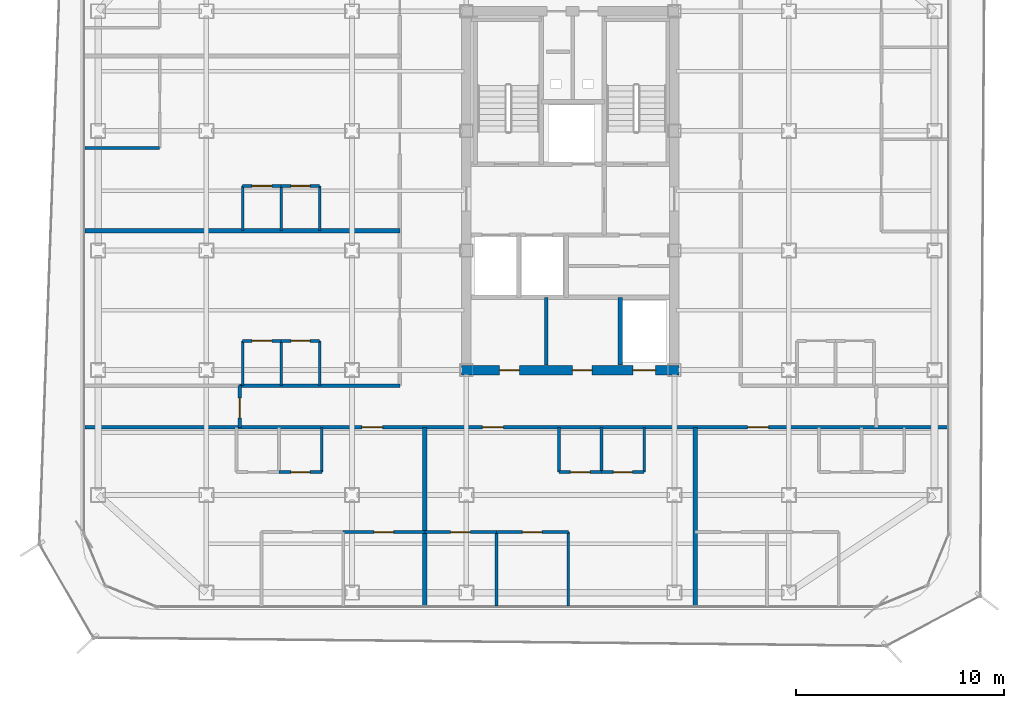
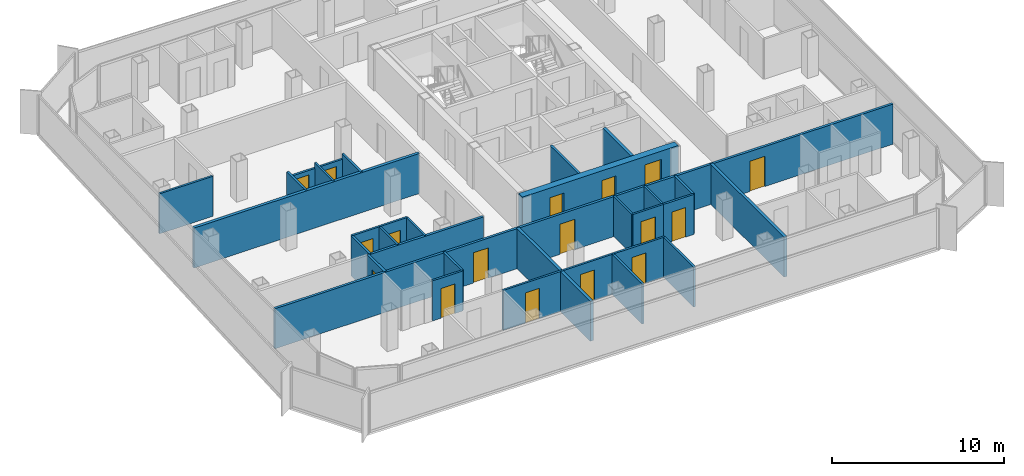
# One storey, part 10 of 16: 32 walls, 17 doors, 17 openings.
"""IFC4 building model written with IfcOpenShell, lengths in metres."""

from ifc_helpers import new_model, si_unit, direction, frame, frame_2d, origin, place, context, subcontext, project, spatial, rectangle, extrude, material, layer, layer_set, type_object, element, fill, save


model = new_model("IFC4")

# Units and contexts
model_context = context("Model", 3, precision=1e-05, world=origin(), true_north=direction((0.0, 1.0)))
body_context = subcontext(model_context, "Body", "Model", "MODEL_VIEW")
ifc_project = project(units=[si_unit("LENGTHUNIT", "METRE"), si_unit("AREAUNIT", "SQUARE_METRE"), si_unit("VOLUMEUNIT", "CUBIC_METRE"), si_unit("PLANEANGLEUNIT", "RADIAN"), si_unit("MASSUNIT", "GRAM", prefix="KILO")], contexts=[model_context])

# Site, building, storey
site_placement = place(None, origin())
site = spatial("IfcSite", under=ifc_project, at=site_placement, CompositionType="ELEMENT")
building_placement = place(site_placement, origin())
building = spatial("IfcBuilding", under=site, at=building_placement, Name="Kolveth Station Tower", CompositionType="ELEMENT")
storey_placement = place(building_placement, frame((0.0, 0.0, 212.39990234375)))
storey = spatial("IfcBuildingStorey", under=building, at=storey_placement, Name="L60", CompositionType="ELEMENT", Elevation=212.39990234375)

# Wall, openings, doors
ifc_material_1 = material(Name="Concrete C50/60", Category="concrete")
ifc_layer_1 = layer(ifc_material_1, 0.449951171875)
ifc_layer_set_1 = layer_set([ifc_layer_1], Name="Concrete C50/60")
wall_type_1 = type_object("IfcWallType", Name="Wall_CW-450", PredefinedType="SHEAR", material=ifc_layer_set_1)
wall_1_placement = place(storey_placement, frame((18.27490234375, 11.5, 0.0), z_axis=(0.0, 0.0, 1.0), x_axis=(1.0, 0.0, 0.0)))
wall_1 = element("IfcWall", 1, at=wall_1_placement, inside=storey, type_object=wall_type_1, Name="L60 Core RC Shear Wall S", PredefinedType="SHEAR", context=body_context, shape_type="SweptSolid", body=[
    extrude(rectangle(XDim=10.4501953125, YDim=0.449951171875, at=frame_2d((5.22509765625, 0.0))), origin(), (0.0, 0.0, 1.0), 2.840087890625),
])
opening_1_placement = place(wall_1_placement, frame((1.824951171875, 0.0, 0.0)))
opening_1 = element("IfcOpeningElement", 2, at=opening_1_placement, cuts=wall_1, Name="Opening ID1", PredefinedType="OPENING", context=body_context, shape_type="SweptSolid", body=[
    extrude(rectangle(XDim=0.949951171875, YDim=2.14990234375, at=frame_2d((0.47509765625, 1.074951171875))), frame((0.0, 0.23486328125, 0.0), z_axis=(0.0, -1.0, 0.0), x_axis=(1.0, 0.0, 0.0)), (0.0, 0.0, 1.0), 0.469970703125),
])
opening_2_placement = place(wall_1_placement, frame((5.324951171875, 0.0, 0.0)))
opening_2 = element("IfcOpeningElement", 3, at=opening_2_placement, cuts=wall_1, Name="Opening ID1", PredefinedType="OPENING", context=body_context, shape_type="SweptSolid", body=[
    extrude(rectangle(XDim=0.949951171875, YDim=2.14990234375, at=frame_2d((0.47509765625, 1.074951171875))), frame((0.0, 0.23486328125, 0.0), z_axis=(0.0, -1.0, 0.0), x_axis=(1.0, 0.0, 0.0)), (0.0, 0.0, 1.0), 0.469970703125),
])
opening_3_placement = place(wall_1_placement, frame((8.22509765625, 0.0, 0.0)))
opening_3 = element("IfcOpeningElement", 4, at=opening_3_placement, cuts=wall_1, Name="Opening LD1", PredefinedType="OPENING", context=body_context, shape_type="SweptSolid", body=[
    extrude(rectangle(XDim=1.10009765625, YDim=2.25, at=frame_2d((0.550048828125, 1.125))), frame((0.0, 0.23486328125, 0.0), z_axis=(0.0, -1.0, 0.0), x_axis=(1.0, 0.0, 0.0)), (0.0, 0.0, 1.0), 0.469970703125),
])
ifc_material_2 = material(Name="Acoustic hardwood leaf and aluminium frame", Category="wood")
door_type_1 = type_object("IfcDoorType", Name="Door_ID1", OperationType="NOTDEFINED", PredefinedType="DOOR", material=ifc_material_2)
door_1_placement = place(opening_1_placement, frame((0.949951171875, 0.0, 0.0), z_axis=(0.0, 0.0, 1.0), x_axis=(-1.0, 0.0, 0.0)))
door_1 = element("IfcDoor", 5, at=door_1_placement, inside=storey, type_object=door_type_1, Name="L60 Laundry Room Door", OperationType="SINGLE_SWING_LEFT", OverallHeight=2.14990234375, OverallWidth=0.949951171875, PredefinedType="DOOR", context=body_context, shape_type="SweptSolid", body=[
    extrude(rectangle(XDim=0.949951171875, YDim=2.14990234375, at=frame_2d((0.47509765625, 1.074951171875))), frame((0.0, 0.02490234375, 0.0), z_axis=(0.0, -1.0, 0.0), x_axis=(1.0, 0.0, 0.0)), (0.0, 0.0, 1.0), 0.050048828125),
])
fill(opening_1, door_1)
door_2_placement = place(opening_2_placement, frame((0.949951171875, 0.0, 0.0), z_axis=(0.0, 0.0, 1.0), x_axis=(-1.0, 0.0, 0.0)))
door_2 = element("IfcDoor", 6, at=door_2_placement, inside=storey, type_object=door_type_1, Name="L60 Parcel Room Door", OperationType="SINGLE_SWING_RIGHT", OverallHeight=2.14990234375, OverallWidth=0.949951171875, PredefinedType="DOOR", context=body_context, shape_type="SweptSolid", body=[
    extrude(rectangle(XDim=0.949951171875, YDim=2.14990234375, at=frame_2d((0.47509765625, 1.074951171875))), frame((0.0, 0.02490234375, 0.0), z_axis=(0.0, -1.0, 0.0), x_axis=(1.0, 0.0, 0.0)), (0.0, 0.0, 1.0), 0.050048828125),
])
fill(opening_2, door_2)
ifc_material_3 = material(Name="Brushed stainless steel sliding landing doors", Category="steel")
door_type_2 = type_object("IfcDoorType", Name="Door_LD1", OperationType="NOTDEFINED", PredefinedType="DOOR", material=ifc_material_3)
door_3_placement = place(opening_3_placement, frame((1.10009765625, 0.0, 0.0), z_axis=(0.0, 0.0, 1.0), x_axis=(-1.0, 0.0, 0.0)))
door_3 = element("IfcDoor", 7, at=door_3_placement, inside=storey, type_object=door_type_2, Name="L60 Lift PH1 Landing Door", OperationType="DOUBLE_DOOR_SLIDING", OverallHeight=2.25, OverallWidth=1.10009765625, PredefinedType="DOOR", context=body_context, shape_type="SweptSolid", body=[
    extrude(rectangle(XDim=1.10009765625, YDim=2.25, at=frame_2d((0.550048828125, 1.125))), frame((0.0, 0.02490234375, 0.0), z_axis=(0.0, -1.0, 0.0), x_axis=(1.0, 0.0, 0.0)), (0.0, 0.0, 1.0), 0.050048828125),
])
fill(opening_3, door_3)

# Wall, opening, door
ifc_material_4 = material(Name="Moisture-resistant gypsum partition")
ifc_layer_2 = layer(ifc_material_4, 0.135009765625)
ifc_layer_set_2 = layer_set([ifc_layer_2], Name="Moisture-resistant gypsum partition")
wall_type_2 = type_object("IfcWallType", Name="Wall_IW-135", PredefinedType="PARTITIONING", material=ifc_layer_set_2)
wall_2_placement = place(storey_placement, frame((9.5, 6.60009765625, 0.0), z_axis=(0.0, 0.0, 1.0), x_axis=(1.0, 0.0, 0.0)))
wall_2 = element("IfcWall", 8, at=wall_2_placement, inside=storey, type_object=wall_type_2, Name="L60 Partition Wall WL-L60-A1-IBHB", PredefinedType="PARTITIONING", context=body_context, shape_type="SweptSolid", body=[
    extrude(rectangle(XDim=2.050048828125, YDim=0.135009765625, at=frame_2d((1.02490234375, 0.0))), origin(), (0.0, 0.0, 1.0), 2.840087890625),
])
opening_4_placement = place(wall_2_placement, frame((0.56494140625, 0.0, 0.0)))
opening_4 = element("IfcOpeningElement", 9, at=opening_4_placement, cuts=wall_2, Name="Opening ID2", PredefinedType="OPENING", context=body_context, shape_type="SweptSolid", body=[
    extrude(rectangle(XDim=0.919921875, YDim=2.10009765625, at=frame_2d((0.4599609375, 1.050048828125))), frame((0.0, 0.077392578125, 0.0), z_axis=(0.0, -1.0, 0.0), x_axis=(1.0, 0.0, 0.0)), (0.0, 0.0, 1.0), 0.155029296875),
])
ifc_material_5 = material(Name="Moisture-resistant hardwood leaf", Category="wood")
door_type_3 = type_object("IfcDoorType", Name="Door_ID2", OperationType="NOTDEFINED", PredefinedType="DOOR", material=ifc_material_5)
door_4_placement = place(opening_4_placement, origin())
door_4 = element("IfcDoor", 10, at=door_4_placement, inside=storey, type_object=door_type_3, Name="Penthouse Flat L60-A1 Bathroom Door", OperationType="SINGLE_SWING_RIGHT", OverallHeight=2.10009765625, OverallWidth=0.919921875, PredefinedType="DOOR", context=body_context, shape_type="SweptSolid", body=[
    extrude(rectangle(XDim=0.919921875, YDim=2.10009765625, at=frame_2d((0.4599609375, 1.050048828125))), frame((0.0, 0.02490234375, 0.0), z_axis=(0.0, -1.0, 0.0), x_axis=(1.0, 0.0, 0.0)), (0.0, 0.0, 1.0), 0.050048828125),
])
fill(opening_4, door_4)

# Wall
wall_3_placement = place(storey_placement, frame((11.550048828125, 6.60009765625, 0.0), z_axis=(0.0, 0.0, 1.0), x_axis=(0.0, 1.0, 0.0)))
element("IfcWall", 11, at=wall_3_placement, inside=storey, type_object=wall_type_2, Name="L60 Partition Wall WL-L60-A1-IBV2", PredefinedType="PARTITIONING", context=body_context, shape_type="SweptSolid", body=[
    extrude(rectangle(XDim=2.14990234375, YDim=0.135009765625, at=frame_2d((1.074951171875, 0.0))), origin(), (0.0, 0.0, 1.0), 2.840087890625),
])

# Wall, opening, door
wall_4_placement = place(storey_placement, frame((12.57861328125, 3.7099609375, 0.0), z_axis=(0.0, 0.0, 1.0), x_axis=(1.0, 0.0, 0.0)))
wall_4 = element("IfcWall", 12, at=wall_4_placement, inside=storey, type_object=wall_type_2, Name="L60 Partition Wall WL-L60-A1-BDH2", PredefinedType="PARTITIONING", context=body_context, shape_type="SweptSolid", body=[
    extrude(rectangle(XDim=3.92138671875, YDim=0.135009765625, at=frame_2d((1.960693359375, 0.0))), origin(), (0.0, 0.0, 1.0), 2.840087890625),
])
opening_5_placement = place(wall_4_placement, frame((1.47998046875, 0.0, 0.0)))
opening_5 = element("IfcOpeningElement", 13, at=opening_5_placement, cuts=wall_4, Name="Opening ID1", PredefinedType="OPENING", context=body_context, shape_type="SweptSolid", body=[
    extrude(rectangle(XDim=0.949951171875, YDim=2.14990234375, at=frame_2d((0.47509765625, 1.074951171875))), frame((0.0, 0.077392578125, 0.0), z_axis=(0.0, -1.0, 0.0), x_axis=(1.0, 0.0, 0.0)), (0.0, 0.0, 1.0), 0.155029296875),
])
door_5_placement = place(opening_5_placement, frame((0.949951171875, 0.0, 0.0), z_axis=(0.0, 0.0, 1.0), x_axis=(-1.0, 0.0, 0.0)))
door_5 = element("IfcDoor", 14, at=door_5_placement, inside=storey, type_object=door_type_1, Name="Penthouse Flat L60-A1 Bedroom 2 Door", OperationType="SINGLE_SWING_RIGHT", OverallHeight=2.14990234375, OverallWidth=0.949951171875, PredefinedType="DOOR", context=body_context, shape_type="SweptSolid", body=[
    extrude(rectangle(XDim=0.949951171875, YDim=2.14990234375, at=frame_2d((0.47509765625, 1.074951171875))), frame((0.0, 0.02490234375, 0.0), z_axis=(0.0, -1.0, 0.0), x_axis=(1.0, 0.0, 0.0)), (0.0, 0.0, 1.0), 0.050048828125),
])
fill(opening_5, door_5)

wall_5_placement = place(storey_placement, frame((22.949951171875, 6.60009765625, 0.0), z_axis=(0.0, 0.0, 1.0), x_axis=(1.0, 0.0, 0.0)))
wall_5 = element("IfcWall", 15, at=wall_5_placement, inside=storey, type_object=wall_type_2, Name="L60 Partition Wall WL-L60-A2-IBHK", PredefinedType="PARTITIONING", context=body_context, shape_type="SweptSolid", body=[
    extrude(rectangle(XDim=2.050048828125, YDim=0.135009765625, at=frame_2d((1.02490234375, 0.0))), origin(), (0.0, 0.0, 1.0), 2.840087890625),
])
opening_6_placement = place(wall_5_placement, frame((0.544921875, 0.0, 0.0)))
opening_6 = element("IfcOpeningElement", 16, at=opening_6_placement, cuts=wall_5, Name="Opening ID1", PredefinedType="OPENING", context=body_context, shape_type="SweptSolid", body=[
    extrude(rectangle(XDim=0.949951171875, YDim=2.14990234375, at=frame_2d((0.47509765625, 1.074951171875))), frame((0.0, 0.077392578125, 0.0), z_axis=(0.0, -1.0, 0.0), x_axis=(1.0, 0.0, 0.0)), (0.0, 0.0, 1.0), 0.155029296875),
])
door_6_placement = place(opening_6_placement, origin())
door_6 = element("IfcDoor", 17, at=door_6_placement, inside=storey, type_object=door_type_1, Name="Penthouse Flat L60-A2 Kitchen Door", OperationType="SINGLE_SWING_LEFT", OverallHeight=2.14990234375, OverallWidth=0.949951171875, PredefinedType="DOOR", context=body_context, shape_type="SweptSolid", body=[
    extrude(rectangle(XDim=0.949951171875, YDim=2.14990234375, at=frame_2d((0.47509765625, 1.074951171875))), frame((0.0, 0.02490234375, 0.0), z_axis=(0.0, -1.0, 0.0), x_axis=(1.0, 0.0, 0.0)), (0.0, 0.0, 1.0), 0.050048828125),
])
fill(opening_6, door_6)

wall_6_placement = place(storey_placement, frame((25.0, 6.60009765625, 0.0), z_axis=(0.0, 0.0, 1.0), x_axis=(1.0, 0.0, 0.0)))
wall_6 = element("IfcWall", 18, at=wall_6_placement, inside=storey, type_object=wall_type_2, Name="L60 Partition Wall WL-L60-A2-IBHB", PredefinedType="PARTITIONING", context=body_context, shape_type="SweptSolid", body=[
    extrude(rectangle(XDim=2.050048828125, YDim=0.135009765625, at=frame_2d((1.02490234375, 0.0))), origin(), (0.0, 0.0, 1.0), 2.840087890625),
])
opening_7_placement = place(wall_6_placement, frame((0.56494140625, 0.0, 0.0)))
opening_7 = element("IfcOpeningElement", 19, at=opening_7_placement, cuts=wall_6, Name="Opening ID2", PredefinedType="OPENING", context=body_context, shape_type="SweptSolid", body=[
    extrude(rectangle(XDim=0.919921875, YDim=2.10009765625, at=frame_2d((0.4599609375, 1.050048828125))), frame((0.0, 0.077392578125, 0.0), z_axis=(0.0, -1.0, 0.0), x_axis=(1.0, 0.0, 0.0)), (0.0, 0.0, 1.0), 0.155029296875),
])
door_7_placement = place(opening_7_placement, origin())
door_7 = element("IfcDoor", 20, at=door_7_placement, inside=storey, type_object=door_type_3, Name="Penthouse Flat L60-A2 Bathroom Door", OperationType="SINGLE_SWING_LEFT", OverallHeight=2.10009765625, OverallWidth=0.919921875, PredefinedType="DOOR", context=body_context, shape_type="SweptSolid", body=[
    extrude(rectangle(XDim=0.919921875, YDim=2.10009765625, at=frame_2d((0.4599609375, 1.050048828125))), frame((0.0, 0.02490234375, 0.0), z_axis=(0.0, -1.0, 0.0), x_axis=(1.0, 0.0, 0.0)), (0.0, 0.0, 1.0), 0.050048828125),
])
fill(opening_7, door_7)

# Walls
for number, where, z_axis, x_axis, name in (
    (21, (22.949951171875, 6.60009765625, 0.0), (0.0, 0.0, 1.0), (0.0, 1.0, 0.0), "L60 Partition Wall WL-L60-A2-IBV0"),
    (22, (25.0, 6.60009765625, 0.0), (0.0, 0.0, 1.0), (0.0, 1.0, 0.0), "L60 Partition Wall WL-L60-A2-IBV1"),
    (23, (27.050048828125, 6.60009765625, 0.0), (0.0, 0.0, 1.0), (0.0, 1.0, 0.0), "L60 Partition Wall WL-L60-A2-IBV2"),
):
    element("IfcWall", number, at=place(storey_placement, frame(where, z_axis=z_axis, x_axis=x_axis)), inside=storey, type_object=wall_type_2, Name=name, PredefinedType="PARTITIONING", context=body_context, shape_type="SweptSolid", body=[
        extrude(rectangle(XDim=2.14990234375, YDim=0.135009765625, at=frame_2d((1.074951171875, 0.0))), origin(), (0.0, 0.0, 1.0), 2.840087890625),
    ])
wall_7_placement = place(storey_placement, frame((23.39990234375, 0.159912109375, 0.0), z_axis=(0.0, 0.0, 1.0), x_axis=(0.0, 1.0, 0.0)))
element("IfcWall", 24, at=wall_7_placement, inside=storey, type_object=wall_type_2, Name="L60 Partition Wall WL-L60-A2-BDVE", PredefinedType="PARTITIONING", context=body_context, shape_type="SweptSolid", body=[
    extrude(rectangle(XDim=3.550048828125, YDim=0.135009765625, at=frame_2d((1.77490234375, 0.0))), origin(), (0.0, 0.0, 1.0), 2.840087890625),
])

# Wall, opening, door
wall_8_placement = place(storey_placement, frame((16.5, 3.7099609375, 0.0), z_axis=(0.0, 0.0, 1.0), x_axis=(1.0, 0.0, 0.0)))
wall_8 = element("IfcWall", 25, at=wall_8_placement, inside=storey, type_object=wall_type_2, Name="L60 Partition Wall WL-L60-A2-BDH1", PredefinedType="PARTITIONING", context=body_context, shape_type="SweptSolid", body=[
    extrude(rectangle(XDim=3.449951171875, YDim=0.135009765625, at=frame_2d((1.72509765625, 0.0))), origin(), (0.0, 0.0, 1.0), 2.840087890625),
])
opening_8_placement = place(wall_8_placement, frame((1.2451171875, 0.0, 0.0)))
opening_8 = element("IfcOpeningElement", 26, at=opening_8_placement, cuts=wall_8, Name="Opening ID1", PredefinedType="OPENING", context=body_context, shape_type="SweptSolid", body=[
    extrude(rectangle(XDim=0.949951171875, YDim=2.14990234375, at=frame_2d((0.47509765625, 1.074951171875))), frame((0.0, 0.077392578125, 0.0), z_axis=(0.0, -1.0, 0.0), x_axis=(1.0, 0.0, 0.0)), (0.0, 0.0, 1.0), 0.155029296875),
])
door_8_placement = place(opening_8_placement, frame((0.949951171875, 0.0, 0.0), z_axis=(0.0, 0.0, 1.0), x_axis=(-1.0, 0.0, 0.0)))
door_8 = element("IfcDoor", 27, at=door_8_placement, inside=storey, type_object=door_type_1, Name="Penthouse Flat L60-A2 Bedroom 1 Door", OperationType="SINGLE_SWING_RIGHT", OverallHeight=2.14990234375, OverallWidth=0.949951171875, PredefinedType="DOOR", context=body_context, shape_type="SweptSolid", body=[
    extrude(rectangle(XDim=0.949951171875, YDim=2.14990234375, at=frame_2d((0.47509765625, 1.074951171875))), frame((0.0, 0.02490234375, 0.0), z_axis=(0.0, -1.0, 0.0), x_axis=(1.0, 0.0, 0.0)), (0.0, 0.0, 1.0), 0.050048828125),
])
fill(opening_8, door_8)

wall_9_placement = place(storey_placement, frame((19.949951171875, 3.7099609375, 0.0), z_axis=(0.0, 0.0, 1.0), x_axis=(1.0, 0.0, 0.0)))
wall_9 = element("IfcWall", 28, at=wall_9_placement, inside=storey, type_object=wall_type_2, Name="L60 Partition Wall WL-L60-A2-BDH2", PredefinedType="PARTITIONING", context=body_context, shape_type="SweptSolid", body=[
    extrude(rectangle(XDim=3.449951171875, YDim=0.135009765625, at=frame_2d((1.72509765625, 0.0))), origin(), (0.0, 0.0, 1.0), 2.840087890625),
])
opening_9_placement = place(wall_9_placement, frame((1.2451171875, 0.0, 0.0)))
opening_9 = element("IfcOpeningElement", 29, at=opening_9_placement, cuts=wall_9, Name="Opening ID1", PredefinedType="OPENING", context=body_context, shape_type="SweptSolid", body=[
    extrude(rectangle(XDim=0.949951171875, YDim=2.14990234375, at=frame_2d((0.47509765625, 1.074951171875))), frame((0.0, 0.077392578125, 0.0), z_axis=(0.0, -1.0, 0.0), x_axis=(1.0, 0.0, 0.0)), (0.0, 0.0, 1.0), 0.155029296875),
])
door_9_placement = place(opening_9_placement, frame((0.949951171875, 0.0, 0.0), z_axis=(0.0, 0.0, 1.0), x_axis=(-1.0, 0.0, 0.0)))
door_9 = element("IfcDoor", 30, at=door_9_placement, inside=storey, type_object=door_type_1, Name="Penthouse Flat L60-A2 Bedroom 2 Door", OperationType="SINGLE_SWING_LEFT", OverallHeight=2.14990234375, OverallWidth=0.949951171875, PredefinedType="DOOR", context=body_context, shape_type="SweptSolid", body=[
    extrude(rectangle(XDim=0.949951171875, YDim=2.14990234375, at=frame_2d((0.47509765625, 1.074951171875))), frame((0.0, 0.02490234375, 0.0), z_axis=(0.0, -1.0, 0.0), x_axis=(1.0, 0.0, 0.0)), (0.0, 0.0, 1.0), 0.050048828125),
])
fill(opening_9, door_9)

# Wall
wall_10_placement = place(storey_placement, frame((19.949951171875, 0.159912109375, 0.0), z_axis=(0.0, 0.0, 1.0), x_axis=(0.0, 1.0, 0.0)))
element("IfcWall", 31, at=wall_10_placement, inside=storey, type_object=wall_type_2, Name="L60 Partition Wall WL-L60-A2-BDV1", PredefinedType="PARTITIONING", context=body_context, shape_type="SweptSolid", body=[
    extrude(rectangle(XDim=3.550048828125, YDim=0.135009765625, at=frame_2d((1.77490234375, 0.0))), origin(), (0.0, 0.0, 1.0), 2.840087890625),
])

# Wall, opening, door
wall_11_placement = place(storey_placement, frame((7.75, 12.89990234375, 0.0), z_axis=(0.0, 0.0, 1.0), x_axis=(1.0, 0.0, 0.0)))
wall_11 = element("IfcWall", 32, at=wall_11_placement, inside=storey, type_object=wall_type_2, Name="L60 Partition Wall WL-L60-W1-IBHK", PredefinedType="PARTITIONING", context=body_context, shape_type="SweptSolid", body=[
    extrude(rectangle(XDim=1.85009765625, YDim=0.135009765625, at=frame_2d((0.925048828125, 0.0))), origin(), (0.0, 0.0, 1.0), 2.840087890625),
])
opening_10_placement = place(wall_11_placement, frame((0.445068359375, 0.0, 0.0)))
opening_10 = element("IfcOpeningElement", 33, at=opening_10_placement, cuts=wall_11, Name="Opening ID1", PredefinedType="OPENING", context=body_context, shape_type="SweptSolid", body=[
    extrude(rectangle(XDim=0.949951171875, YDim=2.14990234375, at=frame_2d((0.47509765625, 1.074951171875))), frame((0.0, 0.077392578125, 0.0), z_axis=(0.0, -1.0, 0.0), x_axis=(1.0, 0.0, 0.0)), (0.0, 0.0, 1.0), 0.155029296875),
])
door_10_placement = place(opening_10_placement, origin())
door_10 = element("IfcDoor", 34, at=door_10_placement, inside=storey, type_object=door_type_1, Name="Penthouse Flat L60-W1 Kitchen Door", OperationType="SINGLE_SWING_RIGHT", OverallHeight=2.14990234375, OverallWidth=0.949951171875, PredefinedType="DOOR", context=body_context, shape_type="SweptSolid", body=[
    extrude(rectangle(XDim=0.949951171875, YDim=2.14990234375, at=frame_2d((0.47509765625, 1.074951171875))), frame((0.0, 0.02490234375, 0.0), z_axis=(0.0, -1.0, 0.0), x_axis=(1.0, 0.0, 0.0)), (0.0, 0.0, 1.0), 0.050048828125),
])
fill(opening_10, door_10)

wall_12_placement = place(storey_placement, frame((9.60009765625, 12.89990234375, 0.0), z_axis=(0.0, 0.0, 1.0), x_axis=(1.0, 0.0, 0.0)))
wall_12 = element("IfcWall", 35, at=wall_12_placement, inside=storey, type_object=wall_type_2, Name="L60 Partition Wall WL-L60-W1-IBHB", PredefinedType="PARTITIONING", context=body_context, shape_type="SweptSolid", body=[
    extrude(rectangle(XDim=1.849853515625, YDim=0.135009765625, at=frame_2d((0.9248046875, 0.0))), origin(), (0.0, 0.0, 1.0), 2.840087890625),
])
opening_11_placement = place(wall_12_placement, frame((0.465087890625, 0.0, 0.0)))
opening_11 = element("IfcOpeningElement", 36, at=opening_11_placement, cuts=wall_12, Name="Opening ID2", PredefinedType="OPENING", context=body_context, shape_type="SweptSolid", body=[
    extrude(rectangle(XDim=0.919921875, YDim=2.10009765625, at=frame_2d((0.4599609375, 1.050048828125))), frame((0.0, 0.077392578125, 0.0), z_axis=(0.0, -1.0, 0.0), x_axis=(1.0, 0.0, 0.0)), (0.0, 0.0, 1.0), 0.155029296875),
])
door_11_placement = place(opening_11_placement, origin())
door_11 = element("IfcDoor", 37, at=door_11_placement, inside=storey, type_object=door_type_3, Name="Penthouse Flat L60-W1 Bathroom Door", OperationType="SINGLE_SWING_LEFT", OverallHeight=2.10009765625, OverallWidth=0.919921875, PredefinedType="DOOR", context=body_context, shape_type="SweptSolid", body=[
    extrude(rectangle(XDim=0.919921875, YDim=2.10009765625, at=frame_2d((0.4599609375, 1.050048828125))), frame((0.0, 0.02490234375, 0.0), z_axis=(0.0, -1.0, 0.0), x_axis=(1.0, 0.0, 0.0)), (0.0, 0.0, 1.0), 0.050048828125),
])
fill(opening_11, door_11)

# Walls
for number, where, z_axis, x_axis, name in (
    (38, (7.75, 10.75, 0.0), (0.0, 0.0, 1.0), (0.0, 1.0, 0.0), "L60 Partition Wall WL-L60-W1-IBV0"),
    (39, (9.60009765625, 10.75, 0.0), (0.0, 0.0, 1.0), (0.0, 1.0, 0.0), "L60 Partition Wall WL-L60-W1-IBV1"),
    (40, (11.449951171875, 10.75, 0.0), (0.0, 0.0, 1.0), (0.0, 1.0, 0.0), "L60 Partition Wall WL-L60-W1-IBV2"),
):
    element("IfcWall", number, at=place(storey_placement, frame(where, z_axis=z_axis, x_axis=x_axis)), inside=storey, type_object=wall_type_2, Name=name, PredefinedType="PARTITIONING", context=body_context, shape_type="SweptSolid", body=[
        extrude(rectangle(XDim=2.14990234375, YDim=0.135009765625, at=frame_2d((1.074951171875, 0.0))), origin(), (0.0, 0.0, 1.0), 2.840087890625),
    ])

# Wall, opening, door
wall_13_placement = place(storey_placement, frame((7.75, 20.35009765625, 0.0), z_axis=(0.0, 0.0, 1.0), x_axis=(1.0, 0.0, 0.0)))
wall_13 = element("IfcWall", 41, at=wall_13_placement, inside=storey, type_object=wall_type_2, Name="L60 Partition Wall WL-L60-W2-IBHK", PredefinedType="PARTITIONING", context=body_context, shape_type="SweptSolid", body=[
    extrude(rectangle(XDim=1.85009765625, YDim=0.135009765625, at=frame_2d((0.925048828125, 0.0))), origin(), (0.0, 0.0, 1.0), 2.47314453125),
])
opening_12_placement = place(wall_13_placement, frame((0.445068359375, 0.0, 0.0)))
opening_12 = element("IfcOpeningElement", 42, at=opening_12_placement, cuts=wall_13, Name="Opening ID1", PredefinedType="OPENING", context=body_context, shape_type="SweptSolid", body=[
    extrude(rectangle(XDim=0.949951171875, YDim=2.14990234375, at=frame_2d((0.47509765625, 1.074951171875))), frame((0.0, 0.077392578125, 0.0), z_axis=(0.0, -1.0, 0.0), x_axis=(1.0, 0.0, 0.0)), (0.0, 0.0, 1.0), 0.155029296875),
])
door_12_placement = place(opening_12_placement, origin())
door_12 = element("IfcDoor", 43, at=door_12_placement, inside=storey, type_object=door_type_1, Name="Penthouse Flat L60-W2 Kitchen Door", OperationType="SINGLE_SWING_LEFT", OverallHeight=2.14990234375, OverallWidth=0.949951171875, PredefinedType="DOOR", context=body_context, shape_type="SweptSolid", body=[
    extrude(rectangle(XDim=0.949951171875, YDim=2.14990234375, at=frame_2d((0.47509765625, 1.074951171875))), frame((0.0, 0.02490234375, 0.0), z_axis=(0.0, -1.0, 0.0), x_axis=(1.0, 0.0, 0.0)), (0.0, 0.0, 1.0), 0.050048828125),
])
fill(opening_12, door_12)

wall_14_placement = place(storey_placement, frame((9.60009765625, 20.35009765625, 0.0), z_axis=(0.0, 0.0, 1.0), x_axis=(1.0, 0.0, 0.0)))
wall_14 = element("IfcWall", 44, at=wall_14_placement, inside=storey, type_object=wall_type_2, Name="L60 Partition Wall WL-L60-W2-IBHB", PredefinedType="PARTITIONING", context=body_context, shape_type="SweptSolid", body=[
    extrude(rectangle(XDim=1.849853515625, YDim=0.135009765625, at=frame_2d((0.9248046875, 0.0))), origin(), (0.0, 0.0, 1.0), 2.47314453125),
])
opening_13_placement = place(wall_14_placement, frame((0.465087890625, 0.0, 0.0)))
opening_13 = element("IfcOpeningElement", 45, at=opening_13_placement, cuts=wall_14, Name="Opening ID2", PredefinedType="OPENING", context=body_context, shape_type="SweptSolid", body=[
    extrude(rectangle(XDim=0.919921875, YDim=2.10009765625, at=frame_2d((0.4599609375, 1.050048828125))), frame((0.0, 0.077392578125, 0.0), z_axis=(0.0, -1.0, 0.0), x_axis=(1.0, 0.0, 0.0)), (0.0, 0.0, 1.0), 0.155029296875),
])
door_13_placement = place(opening_13_placement, origin())
door_13 = element("IfcDoor", 46, at=door_13_placement, inside=storey, type_object=door_type_3, Name="Penthouse Flat L60-W2 Bathroom Door", OperationType="SINGLE_SWING_RIGHT", OverallHeight=2.10009765625, OverallWidth=0.919921875, PredefinedType="DOOR", context=body_context, shape_type="SweptSolid", body=[
    extrude(rectangle(XDim=0.919921875, YDim=2.10009765625, at=frame_2d((0.4599609375, 1.050048828125))), frame((0.0, 0.02490234375, 0.0), z_axis=(0.0, -1.0, 0.0), x_axis=(1.0, 0.0, 0.0)), (0.0, 0.0, 1.0), 0.050048828125),
])
fill(opening_13, door_13)

# Walls
for number, where, z_axis, x_axis, name in (
    (47, (7.75, 18.199951171875, 0.0), (0.0, 0.0, 1.0), (0.0, 1.0, 0.0), "L60 Partition Wall WL-L60-W2-IBV0"),
    (48, (9.60009765625, 18.199951171875, 0.0), (0.0, 0.0, 1.0), (0.0, 1.0, 0.0), "L60 Partition Wall WL-L60-W2-IBV1"),
    (49, (11.449951171875, 18.199951171875, 0.0), (0.0, 0.0, 1.0), (0.0, 1.0, 0.0), "L60 Partition Wall WL-L60-W2-IBV2"),
):
    element("IfcWall", number, at=place(storey_placement, frame(where, z_axis=z_axis, x_axis=x_axis)), inside=storey, type_object=wall_type_2, Name=name, PredefinedType="PARTITIONING", context=body_context, shape_type="SweptSolid", body=[
        extrude(rectangle(XDim=2.150146484375, YDim=0.135009765625, at=frame_2d((1.0751953125, 0.0))), origin(), (0.0, 0.0, 1.0), 2.840087890625),
    ])
wall_15_placement = place(storey_placement, frame((0.159912109375, 22.172119140625, 0.0), z_axis=(0.0, 0.0, 1.0), x_axis=(1.0, 0.0, 0.0)))
element("IfcWall", 50, at=wall_15_placement, inside=storey, type_object=wall_type_2, Name="L60 Partition Wall WL-L60-W2-BDH0", PredefinedType="PARTITIONING", context=body_context, shape_type="SweptSolid", body=[
    extrude(rectangle(XDim=3.60009765625, YDim=0.135009765625, at=frame_2d((1.800048828125, 0.0))), origin(), (0.0, 0.0, 1.0), 2.840087890625),
])
ifc_material_6 = material(Name="Acoustic double-stud gypsum partition")
ifc_layer_3 = layer(ifc_material_6, 0.1650390625)
ifc_layer_set_3 = layer_set([ifc_layer_3], Name="Acoustic double-stud gypsum partition")
wall_type_3 = type_object("IfcWallType", Name="Wall_IW-165", PredefinedType="PARTITIONING", material=ifc_layer_set_3)
wall_16_placement = place(storey_placement, frame((22.35009765625, 11.735107421875, 0.0), z_axis=(0.0, 0.0, 1.0), x_axis=(0.0, 1.0, 0.0)))
element("IfcWall", 51, at=wall_16_placement, inside=storey, type_object=wall_type_3, Name="L60 Partition Wall WL-L60-FR-M", PredefinedType="PARTITIONING", context=body_context, shape_type="SweptSolid", body=[
    extrude(rectangle(XDim=3.264892578125, YDim=0.1650390625, at=frame_2d((1.63232421875, 0.0))), origin(), (0.0, 0.0, 1.0), 2.840087890625),
])

# Wall, openings, doors
wall_17_placement = place(storey_placement, frame((0.159912109375, 8.75, 0.0), z_axis=(0.0, 0.0, 1.0), x_axis=(1.0, 0.0, 0.0)))
wall_17 = element("IfcWall", 52, at=wall_17_placement, inside=storey, type_object=wall_type_3, Name="L60 Partition Wall WL-L60-RS", PredefinedType="PARTITIONING", context=body_context, shape_type="SweptSolid", body=[
    extrude(rectangle(XDim=41.47998046875, YDim=0.1650390625, at=frame_2d((20.739990234375, 0.0))), origin(), (0.0, 0.0, 1.0), 2.840087890625),
])
opening_14_placement = place(wall_17_placement, frame((13.31494140625, 0.0, 0.0)))
opening_14 = element("IfcOpeningElement", 53, at=opening_14_placement, cuts=wall_17, Name="Opening FD3", PredefinedType="OPENING", context=body_context, shape_type="SweptSolid", body=[
    extrude(rectangle(XDim=1.0, YDim=2.14990234375, at=frame_2d((0.5, 1.074951171875))), frame((0.0, 0.092529296875, 0.0), z_axis=(0.0, -1.0, 0.0), x_axis=(1.0, 0.0, 0.0)), (0.0, 0.0, 1.0), 0.18505859375),
])
opening_15_placement = place(wall_17_placement, frame((19.114990234375, 0.0, 0.0)))
opening_15 = element("IfcOpeningElement", 54, at=opening_15_placement, cuts=wall_17, Name="Opening FD3", PredefinedType="OPENING", context=body_context, shape_type="SweptSolid", body=[
    extrude(rectangle(XDim=1.0, YDim=2.14990234375, at=frame_2d((0.5, 1.074951171875))), frame((0.0, 0.092529296875, 0.0), z_axis=(0.0, -1.0, 0.0), x_axis=(1.0, 0.0, 0.0)), (0.0, 0.0, 1.0), 0.18505859375),
])
opening_16_placement = place(wall_17_placement, frame((31.864990234375, 0.0, 0.0)))
opening_16 = element("IfcOpeningElement", 55, at=opening_16_placement, cuts=wall_17, Name="Opening FD3", PredefinedType="OPENING", context=body_context, shape_type="SweptSolid", body=[
    extrude(rectangle(XDim=1.0, YDim=2.14990234375, at=frame_2d((0.5, 1.074951171875))), frame((0.0, 0.092529296875, 0.0), z_axis=(0.0, -1.0, 0.0), x_axis=(1.0, 0.0, 0.0)), (0.0, 0.0, 1.0), 0.18505859375),
])
ifc_material_7 = material(Name="Fire-rated hardwood leaf and aluminium frame", Category="wood")
door_type_4 = type_object("IfcDoorType", Name="Door_FD3", OperationType="NOTDEFINED", PredefinedType="DOOR", material=ifc_material_7)
door_14_placement = place(opening_14_placement, frame((1.0, 0.0, 0.0), z_axis=(0.0, 0.0, 1.0), x_axis=(-1.0, 0.0, 0.0)))
door_14 = element("IfcDoor", 56, at=door_14_placement, inside=storey, type_object=door_type_4, Name="Penthouse Flat L60-A1 Entrance Door", OperationType="SINGLE_SWING_LEFT", OverallHeight=2.14990234375, OverallWidth=1.0, PredefinedType="DOOR", context=body_context, shape_type="SweptSolid", body=[
    extrude(rectangle(XDim=1.0, YDim=2.14990234375, at=frame_2d((0.5, 1.074951171875))), frame((0.0, 0.02490234375, 0.0), z_axis=(0.0, -1.0, 0.0), x_axis=(1.0, 0.0, 0.0)), (0.0, 0.0, 1.0), 0.050048828125),
])
fill(opening_14, door_14)
door_15_placement = place(opening_15_placement, frame((1.0, 0.0, 0.0), z_axis=(0.0, 0.0, 1.0), x_axis=(-1.0, 0.0, 0.0)))
door_15 = element("IfcDoor", 57, at=door_15_placement, inside=storey, type_object=door_type_4, Name="Penthouse Flat L60-A2 Entrance Door", OperationType="SINGLE_SWING_RIGHT", OverallHeight=2.14990234375, OverallWidth=1.0, PredefinedType="DOOR", context=body_context, shape_type="SweptSolid", body=[
    extrude(rectangle(XDim=1.0, YDim=2.14990234375, at=frame_2d((0.5, 1.074951171875))), frame((0.0, 0.02490234375, 0.0), z_axis=(0.0, -1.0, 0.0), x_axis=(1.0, 0.0, 0.0)), (0.0, 0.0, 1.0), 0.050048828125),
])
fill(opening_15, door_15)
door_16_placement = place(opening_16_placement, frame((1.0, 0.0, 0.0), z_axis=(0.0, 0.0, 1.0), x_axis=(-1.0, 0.0, 0.0)))
door_16 = element("IfcDoor", 58, at=door_16_placement, inside=storey, type_object=door_type_4, Name="Penthouse Flat L60-A3 Entrance Door", OperationType="SINGLE_SWING_LEFT", OverallHeight=2.14990234375, OverallWidth=1.0, PredefinedType="DOOR", context=body_context, shape_type="SweptSolid", body=[
    extrude(rectangle(XDim=1.0, YDim=2.14990234375, at=frame_2d((0.5, 1.074951171875))), frame((0.0, 0.02490234375, 0.0), z_axis=(0.0, -1.0, 0.0), x_axis=(1.0, 0.0, 0.0)), (0.0, 0.0, 1.0), 0.050048828125),
])
fill(opening_16, door_16)

# Wall
wall_18_placement = place(storey_placement, frame((7.60009765625, 10.75, 0.0), z_axis=(0.0, 0.0, 1.0), x_axis=(1.0, 0.0, 0.0)))
element("IfcWall", 59, at=wall_18_placement, inside=storey, type_object=wall_type_3, Name="L60 Partition Wall WL-L60-RSWT", PredefinedType="PARTITIONING", context=body_context, shape_type="SweptSolid", body=[
    extrude(rectangle(XDim=7.699951171875, YDim=0.1650390625, at=frame_2d((3.85009765625, 0.0))), origin(), (0.0, 0.0, 1.0), 2.840087890625),
])

# Wall, opening, door
wall_19_placement = place(storey_placement, frame((7.60009765625, 8.75, 0.0), z_axis=(0.0, 0.0, 1.0), x_axis=(0.0, 1.0, 0.0)))
wall_19 = element("IfcWall", 60, at=wall_19_placement, inside=storey, type_object=wall_type_3, Name="L60 Partition Wall WL-L60-RSWE", PredefinedType="PARTITIONING", context=body_context, shape_type="SweptSolid", body=[
    extrude(rectangle(XDim=2.0, YDim=0.1650390625, at=frame_2d((1.0, 0.0))), origin(), (0.0, 0.0, 1.0), 2.840087890625),
])
opening_17_placement = place(wall_19_placement, frame((0.449951171875, 0.0, 0.0)))
opening_17 = element("IfcOpeningElement", 61, at=opening_17_placement, cuts=wall_19, Name="Opening ID1", PredefinedType="OPENING", context=body_context, shape_type="SweptSolid", body=[
    extrude(rectangle(XDim=0.949951171875, YDim=2.14990234375, at=frame_2d((0.47509765625, 1.074951171875))), frame((0.0, 0.092529296875, 0.0), z_axis=(0.0, -1.0, 0.0), x_axis=(1.0, 0.0, 0.0)), (0.0, 0.0, 1.0), 0.18505859375),
])
door_17_placement = place(opening_17_placement, frame((0.949951171875, 0.0, 0.0), z_axis=(0.0, 0.0, 1.0), x_axis=(-1.0, 0.0, 0.0)))
door_17 = element("IfcDoor", 62, at=door_17_placement, inside=storey, type_object=door_type_1, Name="L60 West Store Door", OperationType="SINGLE_SWING_LEFT", OverallHeight=2.14990234375, OverallWidth=0.949951171875, PredefinedType="DOOR", context=body_context, shape_type="SweptSolid", body=[
    extrude(rectangle(XDim=0.949951171875, YDim=2.14990234375, at=frame_2d((0.47509765625, 1.074951171875))), frame((0.0, 0.02490234375, 0.0), z_axis=(0.0, -1.0, 0.0), x_axis=(1.0, 0.0, 0.0)), (0.0, 0.0, 1.0), 0.050048828125),
])
fill(opening_17, door_17)

# Walls
ifc_material_8 = material(Name="Acoustic fire-rated gypsum blockwork", Category="masonry")
ifc_layer_4 = layer(ifc_material_8, 0.199951171875)
ifc_layer_set_4 = layer_set([ifc_layer_4], Name="Acoustic fire-rated gypsum blockwork")
wall_type_4 = type_object("IfcWallType", Name="Wall_IW-200", PredefinedType="PARTITIONING", material=ifc_layer_set_4)
wall_20_placement = place(storey_placement, frame((25.89990234375, 11.735107421875, 0.0), z_axis=(0.0, 0.0, 1.0), x_axis=(0.0, 1.0, 0.0)))
element("IfcWall", 63, at=wall_20_placement, inside=storey, type_object=wall_type_4, Name="L60 Partition Wall WL-L60-PMPH", PredefinedType="PARTITIONING", context=body_context, shape_type="SweptSolid", body=[
    extrude(rectangle(XDim=3.264892578125, YDim=0.199951171875, at=frame_2d((1.63232421875, 0.0))), origin(), (0.0, 0.0, 1.0), 2.840087890625),
])
for number, where, z_axis, x_axis, name in (
    (64, (16.5, 0.159912109375, 0.0), (0.0, 0.0, 1.0), (0.0, 1.0, 0.0), "L60 Partition Wall WL-L60-RSU-1"),
    (65, (29.5, 0.159912109375, 0.0), (0.0, 0.0, 1.0), (0.0, 1.0, 0.0), "L60 Partition Wall WL-L60-RSU-2"),
):
    element("IfcWall", number, at=place(storey_placement, frame(where, z_axis=z_axis, x_axis=x_axis)), inside=storey, type_object=wall_type_4, Name=name, PredefinedType="PARTITIONING", context=body_context, shape_type="SweptSolid", body=[
        extrude(rectangle(XDim=8.590087890625, YDim=0.199951171875, at=frame_2d((4.294921875, 0.0))), origin(), (0.0, 0.0, 1.0), 2.840087890625),
    ])
wall_21_placement = place(storey_placement, frame((0.159912109375, 18.199951171875, 0.0), z_axis=(0.0, 0.0, 1.0), x_axis=(1.0, 0.0, 0.0)))
element("IfcWall", 66, at=wall_21_placement, inside=storey, type_object=wall_type_4, Name="L60 Partition Wall WL-L60-RWU-1", PredefinedType="PARTITIONING", context=body_context, shape_type="SweptSolid", body=[
    extrude(rectangle(XDim=15.14013671875, YDim=0.199951171875, at=frame_2d((7.570068359375, 0.0))), origin(), (0.0, 0.0, 1.0), 2.840087890625),
])

save(model, "model.ifc")
